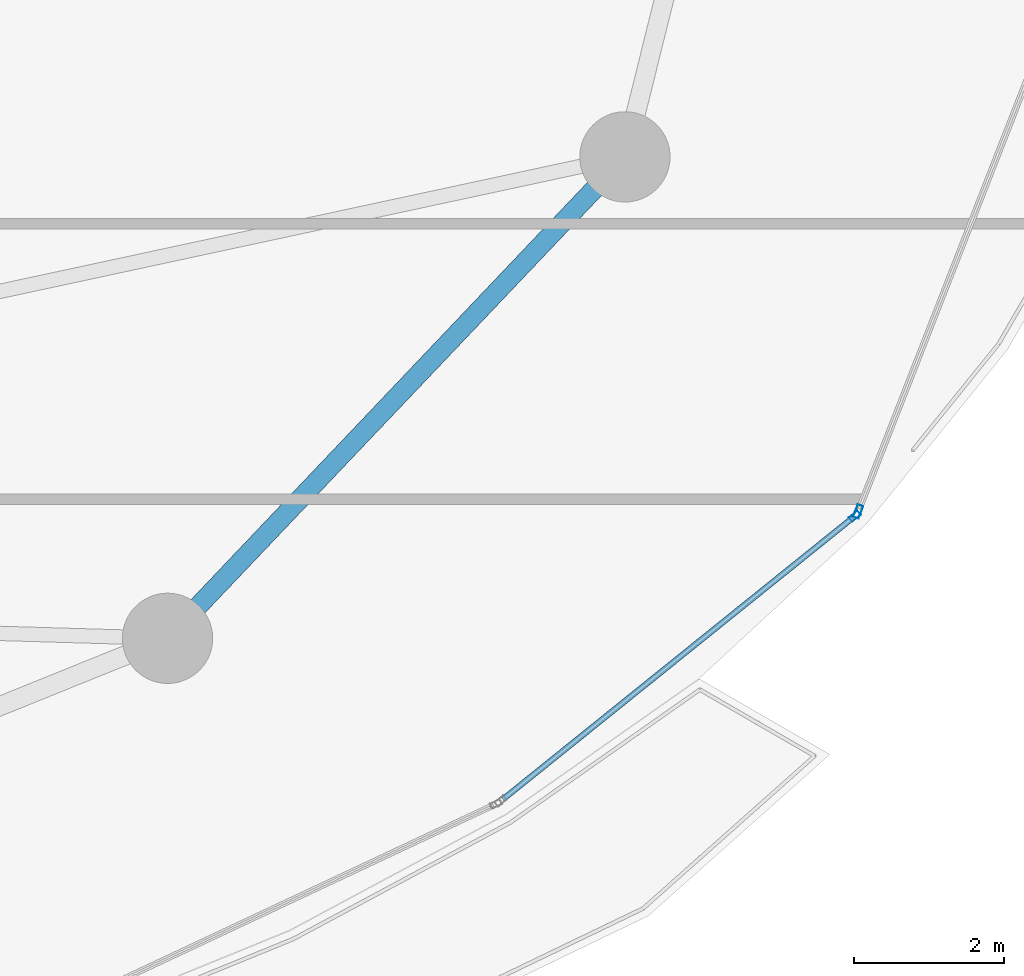
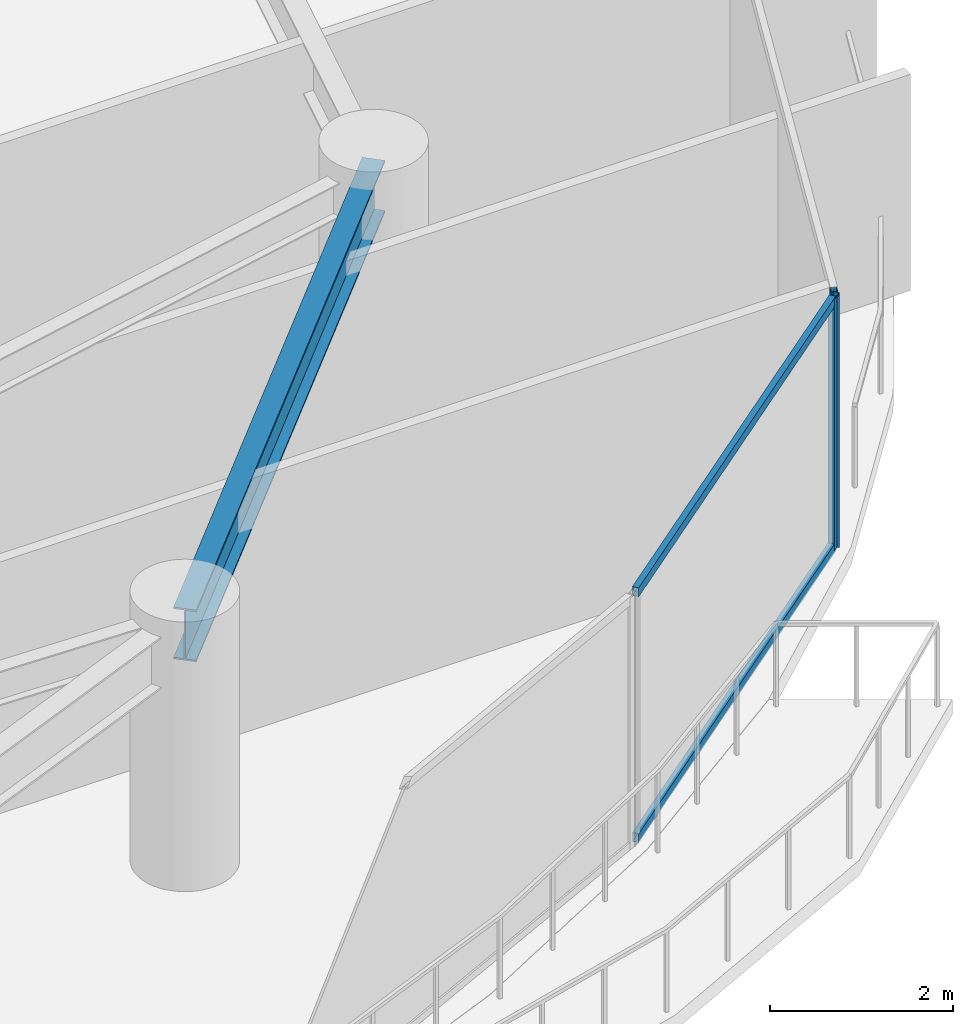
# One storey, part 15 of 34: 4 members, 1 beam, 2 elements without a shape of their own.
"""IFC4 building model written with IfcOpenShell, lengths in metres."""

from ifc_helpers import new_model, si_unit, direction, frame, origin, origin_2d, place, context, subcontext, project, spatial, hollow_rectangle, i_section, extrude, material, layer, layer_set, material_profile, profile_set, type_object, element, aggregate, save


model = new_model("IFC4")

# Units and contexts
model_context = context("Model", 3, precision=1e-05, world=origin(), true_north=direction((0.0, 1.0)))
body_context = subcontext(model_context, "Body", "Model", "MODEL_VIEW")
ifc_project = project(units=[si_unit("LENGTHUNIT", "METRE"), si_unit("AREAUNIT", "SQUARE_METRE"), si_unit("VOLUMEUNIT", "CUBIC_METRE"), si_unit("PLANEANGLEUNIT", "RADIAN"), si_unit("MASSUNIT", "GRAM", prefix="KILO")], contexts=[model_context])

# Site, building, storey
site_placement = place(None, origin())
site = spatial("IfcSite", under=ifc_project, at=site_placement, CompositionType="ELEMENT")
building_placement = place(site_placement, origin())
building = spatial("IfcBuilding", under=site, at=building_placement, Name="Kazevale Care Tower and Concert Hall", CompositionType="ELEMENT")
storey_placement = place(building_placement, frame((0.0, 0.0, 163.800048828125)))
storey = spatial("IfcBuildingStorey", under=building, at=storey_placement, Name="L43", CompositionType="ELEMENT", Elevation=163.800048828125)

# Curtain wall, member
ifc_material_1 = material(Name="Aluminium 6063-T6 and Low-E Glass", Category="aluminium")
ifc_layer_1 = layer(ifc_material_1, 0.179931640625)
ifc_layer_set_1 = layer_set([ifc_layer_1], Name="Aluminium 6063-T6 and Low-E Glass")
curtain_wall_type_1 = type_object("IfcCurtainWallType", Name="Waist & Upper Residential Curtain Wall CW-4", PredefinedType="NOTDEFINED", material=ifc_layer_set_1)
curtain_wall_1_placement = place(storey_placement, origin())
curtain_wall_1 = element("IfcCurtainWall", 1, at=curtain_wall_1_placement, inside=storey, type_object=curtain_wall_type_1, Name="cw:L43:f01", PredefinedType="NOTDEFINED")
ifc_material_2 = material(Name="Aluminium 6063-T6", Category="aluminium")
ifc_material_profile_1 = material_profile(ifc_material_2, hollow_rectangle(XDim=0.080078125, YDim=0.179931640625, WallThickness=0.0048828125, at=origin_2d()), Name="ALU80x180x5")
ifc_profile_set_1 = profile_set([ifc_material_profile_1], Name="Aluminium 6063-T6")
member_type_1 = type_object("IfcMemberType", Name="CW-4 Mullion ALU80x180x5", PredefinedType="MULLION", material=ifc_profile_set_1)
member_1_placement = place(storey_placement, frame((74.010498046875, 24.67529296875, 0.0), z_axis=(0.0, 0.0, 1.0), x_axis=(0.931351746651, -0.36412075471, 0.0)))
member_1 = element("IfcMember", 2, at=member_1_placement, type_object=member_type_1, Name="CW-4 mullion 2", PredefinedType="MULLION", context=body_context, shape_type="SweptSolid", body=[
    extrude(hollow_rectangle(XDim=0.080078125, YDim=0.179931640625, WallThickness=0.0048828125, at=origin_2d()), origin(), (0.0, 0.0, 1.0), 3.35986328125),
])
aggregate(curtain_wall_1, [member_1])

# Curtain wall, members
ifc_layer_2 = layer(ifc_material_1, 0.179931640625)
ifc_layer_set_2 = layer_set([ifc_layer_2], Name="Aluminium 6063-T6 and Low-E Glass")
curtain_wall_type_2 = type_object("IfcCurtainWallType", Name="Sheltered Concave Balcony Curtain Wall CW-5", PredefinedType="NOTDEFINED", material=ifc_layer_set_2)
curtain_wall_2_placement = place(storey_placement, origin())
curtain_wall_2 = element("IfcCurtainWall", 3, at=curtain_wall_2_placement, inside=storey, type_object=curtain_wall_type_2, Name="cw:L43:f02", PredefinedType="NOTDEFINED")
ifc_material_profile_2 = material_profile(ifc_material_2, hollow_rectangle(XDim=0.074951171875, YDim=0.14990234375, WallThickness=0.00390625, at=origin_2d()), Name="ALU75x150x4")
ifc_profile_set_2 = profile_set([ifc_material_profile_2], Name="Aluminium 6063-T6")
member_type_2 = type_object("IfcMemberType", Name="CW-5 Mullion ALU75x150x4", PredefinedType="MULLION", material=ifc_profile_set_2)
member_2_placement = place(storey_placement, frame((73.966796875, 24.614501953125, 0.0), z_axis=(0.0, 0.0, 1.0), x_axis=(0.626905357502, -0.779095419531, 0.0)))
member_2 = element("IfcMember", 4, at=member_2_placement, type_object=member_type_2, Name="CW-5 mullion 1", PredefinedType="MULLION", context=body_context, shape_type="SweptSolid", body=[
    extrude(hollow_rectangle(XDim=0.074951171875, YDim=0.14990234375, WallThickness=0.00390625, at=origin_2d()), origin(), (0.0, 0.0, 1.0), 3.35986328125),
])
ifc_material_profile_3 = material_profile(ifc_material_2, hollow_rectangle(XDim=0.074951171875, YDim=0.1201171875, WallThickness=0.00390625, at=origin_2d()), Name="ALU75x120x4")
ifc_profile_set_3 = profile_set([ifc_material_profile_3], Name="Aluminium 6063-T6")
member_type_3 = type_object("IfcMemberType", Name="CW-5 Transom ALU75x120x4", PredefinedType="USERDEFINED", material=ifc_profile_set_3)
member_3_placement = place(storey_placement, frame((73.9375, 24.591064453125, 0.037353515625), z_axis=(-0.779097461373, -0.626902819966, 0.0), x_axis=(0.626902819966, -0.779097461373, 0.0)))
member_3 = element("IfcMember", 5, at=member_3_placement, type_object=member_type_3, Name="CW-5 transom 1.1", ObjectType="TRANSOM", PredefinedType="USERDEFINED", context=body_context, shape_type="SweptSolid", body=[
    extrude(hollow_rectangle(XDim=0.074951171875, YDim=0.1201171875, WallThickness=0.00390625, at=origin_2d()), origin(), (0.0, 0.0, 1.0), 5.96728515625),
])
member_4_placement = place(storey_placement, frame((73.9375, 24.591064453125, 3.322509765625), z_axis=(-0.779097461373, -0.626902819966, 0.0), x_axis=(0.626902819966, -0.779097461373, 0.0)))
member_4 = element("IfcMember", 6, at=member_4_placement, type_object=member_type_3, Name="CW-5 transom 1.2", ObjectType="TRANSOM", PredefinedType="USERDEFINED", context=body_context, shape_type="SweptSolid", body=[
    extrude(hollow_rectangle(XDim=0.074951171875, YDim=0.1201171875, WallThickness=0.00390625, at=origin_2d()), origin(), (0.0, 0.0, 1.0), 5.96728515625),
])
aggregate(curtain_wall_2, [member_2, member_3, member_4])

# Beam
ifc_material_3 = material(Name="Steel ASTM A572 Gr 50", Category="steel")
ifc_material_profile_4 = material_profile(ifc_material_3, i_section(OverallWidth=0.256103515625, OverallDepth=0.693115234375, WebThickness=0.014404296875, FlangeThickness=0.023681640625, at=origin_2d()), Name="W690x170")
ifc_profile_set_4 = profile_set([ifc_material_profile_4], Name="Steel ASTM A572 Gr 50")
beam_type = type_object("IfcBeamType", Name="Waist Ring Beam W690x170", PredefinedType="BEAM", material=ifc_profile_set_4)
beam_placement = place(storey_placement, frame((64.830078125, 22.989990234375, 3.013427734375), z_axis=(0.688745100728, 0.725003576697, 0.0), x_axis=(-0.725003576697, 0.688745100728, 0.0)))
element("IfcBeam", 7, at=beam_placement, inside=storey, type_object=beam_type, Name="beam:L43:ring:15", PredefinedType="BEAM", context=body_context, shape_type="SweptSolid", body=[
    extrude(i_section(OverallWidth=0.256103515625, OverallDepth=0.693115234375, WebThickness=0.014404296875, FlangeThickness=0.023681640625, at=origin_2d()), origin(), (0.0, 0.0, 1.0), 8.827392578125),
])

save(model, "model.ifc")
